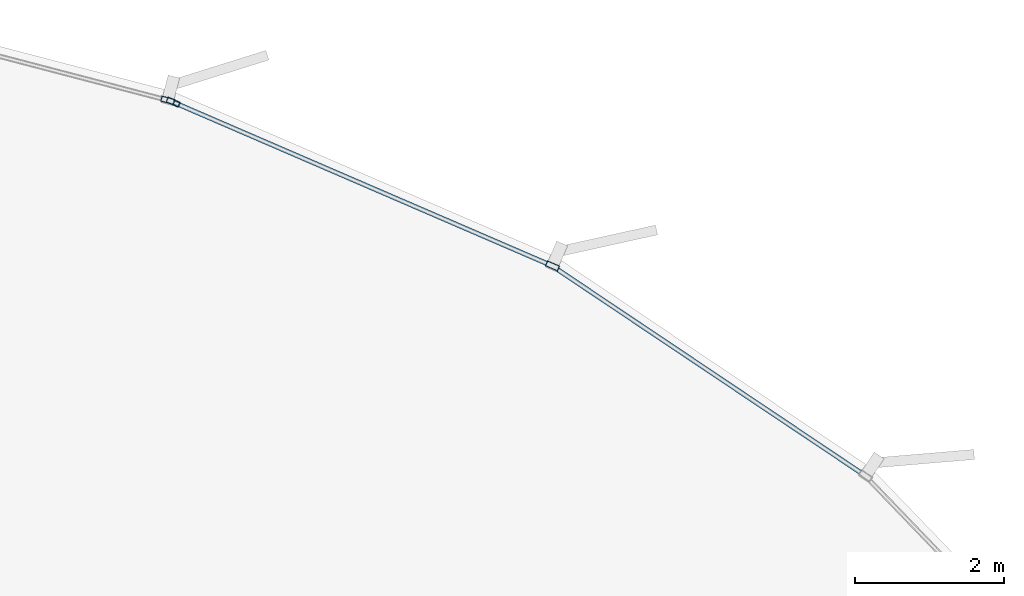
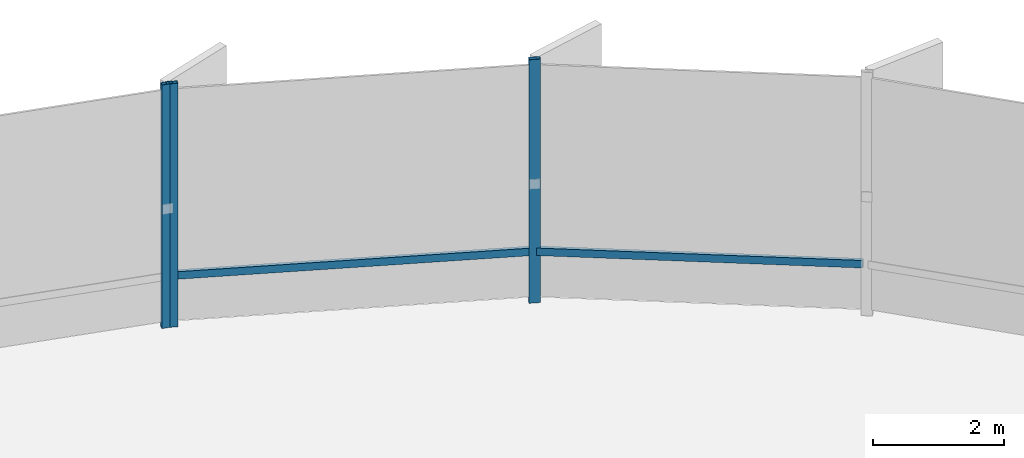
# One storey, part 21 of 33: 5 members, 2 elements without a shape of their own.
"""IFC4 building model written with IfcOpenShell, lengths in metres."""

from ifc_helpers import new_model, si_unit, direction, frame, origin, origin_2d, place, context, subcontext, project, spatial, hollow_rectangle, extrude, source, transform, mapped, material, layer, layer_set, material_profile, profile_set, type_object, element, aggregate, save


model = new_model("IFC4")

# Units and contexts
model_context = context("Model", 3, precision=1e-05, world=origin(), true_north=direction((0.0, 1.0)))
body_context = subcontext(model_context, "Body", "Model", "MODEL_VIEW")
ifc_project = project(units=[si_unit("LENGTHUNIT", "METRE"), si_unit("AREAUNIT", "SQUARE_METRE"), si_unit("VOLUMEUNIT", "CUBIC_METRE"), si_unit("PLANEANGLEUNIT", "RADIAN"), si_unit("MASSUNIT", "GRAM", prefix="KILO"), si_unit("THERMODYNAMICTEMPERATUREUNIT", "KELVIN")], contexts=[model_context])

# Site, building, storey
site_placement = place(None, origin())
site = spatial("IfcSite", under=ifc_project, at=site_placement, CompositionType="ELEMENT")
building_placement = place(site_placement, origin())
building = spatial("IfcBuilding", under=site, at=building_placement, Name="Kethvar Cultural Tower", CompositionType="ELEMENT")
storey_placement = place(building_placement, frame((0.0, 0.0, 10.0)))
storey = spatial("IfcBuildingStorey", under=building, at=storey_placement, Name="L02", CompositionType="ELEMENT", Elevation=10.0)

# Curtain wall, members
ifc_material = material(Name="Aluminium 6063-T6", Category="aluminium")
ifc_layer = layer(ifc_material, 0.179931640625, Name="Aluminium 6063-T6", Category="aluminium")
ifc_layer_set = layer_set([ifc_layer], Name="Aluminium 6063-T6 (180 mm)")
curtain_wall_type = type_object("IfcCurtainWallType", Name="CW-SYS-01-POD", PredefinedType="NOTDEFINED", material=ifc_layer_set)
curtain_wall_1_placement = place(storey_placement, origin())
curtain_wall_1 = element("IfcCurtainWall", 1, at=curtain_wall_1_placement, inside=storey, type_object=curtain_wall_type, Name="L02 Curtain Wall Run 01", PredefinedType="NOTDEFINED")
ifc_material_profile_1 = material_profile(ifc_material, hollow_rectangle(XDim=0.06005859375, YDim=0.139892578125, WallThickness=0.0048828125, at=origin_2d()), Name="Aluminium 6063-T6 — RHS140x60x5")
ifc_profile_set_1 = profile_set([ifc_material_profile_1], Name="Aluminium 6063-T6 — RHS140x60x5")
member_type_1 = type_object("IfcMemberType", Name="CW-SYS-01-POD-TRN", PredefinedType="USERDEFINED", material=ifc_profile_set_1)
shared_shape_1 = source(origin(), body_context, "Body", "SweptSolid", [
    extrude(hollow_rectangle(XDim=0.06005859375, YDim=0.139892578125, WallThickness=0.0048828125, at=origin_2d()), origin(), (0.0, 0.0, 1.0), 4.991455078125),
])
member_1_placement = place(storey_placement, frame((75.44580078125, 47.367919921875, 0.949951171875), z_axis=(-0.830806616573, 0.556561196867, 0.0), x_axis=(-0.556561196867, -0.830806616573, 0.0)))
member_1 = element("IfcMember", 2, at=member_1_placement, type_object=member_type_1, Name="CW-L02-R01 Transom 5", ObjectType="TRANSOM", PredefinedType="USERDEFINED", context=body_context, shape_type="MappedRepresentation", body=[
    mapped(shared_shape_1, transform((0.0, 0.0, 0.0), scale=1.0)),
])
shared_shape_2 = source(origin(), body_context, "Body", "SweptSolid", [
    extrude(hollow_rectangle(XDim=0.06005859375, YDim=0.139892578125, WallThickness=0.0048828125, at=origin_2d()), origin(), (0.0, 0.0, 1.0), 5.504638671875),
])
member_2_placement = place(storey_placement, frame((71.22509765625, 50.18603515625, 0.949951171875), z_axis=(-0.918072625283, 0.39641222825, 0.0), x_axis=(-0.39641222825, -0.918072625283, 0.0)))
member_2 = element("IfcMember", 3, at=member_2_placement, type_object=member_type_1, Name="CW-L02-R01 Transom 6", ObjectType="TRANSOM", PredefinedType="USERDEFINED", context=body_context, shape_type="MappedRepresentation", body=[
    mapped(shared_shape_2, transform((0.0, 0.0, 0.0), scale=1.0)),
])
ifc_material_profile_2 = material_profile(ifc_material, hollow_rectangle(XDim=0.074951171875, YDim=0.179931640625, WallThickness=0.006103515625, at=origin_2d()), Name="Aluminium 6063-T6 — RHS180x75x6")
ifc_profile_set_2 = profile_set([ifc_material_profile_2], Name="Aluminium 6063-T6 — RHS180x75x6")
member_type_2 = type_object("IfcMemberType", Name="CW-SYS-01-POD-MUL", PredefinedType="MULLION", material=ifc_profile_set_2)
shared_shape_3 = source(origin(), body_context, "Body", "SweptSolid", [
    extrude(hollow_rectangle(XDim=0.074951171875, YDim=0.179931640625, WallThickness=0.006103515625, at=origin_2d()), origin(), (0.0, 0.0, 1.0), 4.530029296875),
])
member_3_placement = place(storey_placement, frame((71.27490234375, 50.164794921875, 0.0), z_axis=(0.0, 0.0, 1.0), x_axis=(-0.396410942082, -0.918073180633, 0.0)))
member_3 = element("IfcMember", 4, at=member_3_placement, type_object=member_type_2, Name="CW-L02-R01 Mullion 6", PredefinedType="MULLION", context=body_context, shape_type="MappedRepresentation", body=[
    mapped(shared_shape_3, transform((0.0, 0.0, 0.0), scale=1.0)),
])
member_4_placement = place(storey_placement, frame((66.16650390625, 52.370361328125, 0.0), z_axis=(0.0, 0.0, 1.0), x_axis=(-0.396410942082, -0.918073180633, 0.0)))
member_4 = element("IfcMember", 5, at=member_4_placement, type_object=member_type_2, Name="CW-L02-R01 Mullion 7", PredefinedType="MULLION", context=body_context, shape_type="MappedRepresentation", body=[
    mapped(shared_shape_3, transform((0.0, 0.0, 0.0), scale=1.0)),
])
aggregate(curtain_wall_1, [member_3, member_4, member_1, member_2])

# Curtain wall, member
curtain_wall_2_placement = place(storey_placement, origin())
curtain_wall_2 = element("IfcCurtainWall", 6, at=curtain_wall_2_placement, inside=storey, type_object=curtain_wall_type, Name="L02 Curtain Wall Run 02", PredefinedType="NOTDEFINED")
member_5_placement = place(storey_placement, frame((66.09326171875, 52.3955078125, 0.0), z_axis=(0.0, 0.0, 1.0), x_axis=(-0.253031946887, -0.967457923558, 0.0)))
member_5 = element("IfcMember", 7, at=member_5_placement, type_object=member_type_2, Name="CW-L02-R02 Mullion 1", PredefinedType="MULLION", context=body_context, shape_type="MappedRepresentation", body=[
    mapped(shared_shape_3, transform((0.0, 0.0, 0.0), scale=1.0)),
])
aggregate(curtain_wall_2, [member_5])

save(model, "model.ifc")
